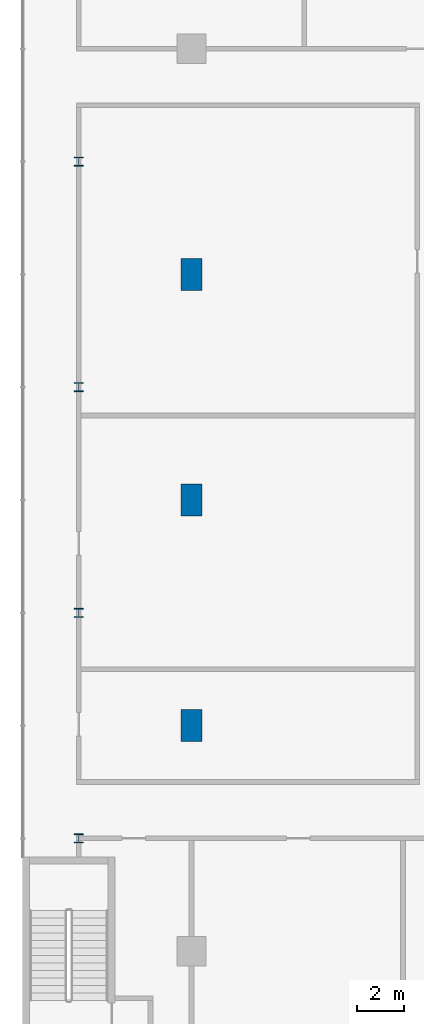
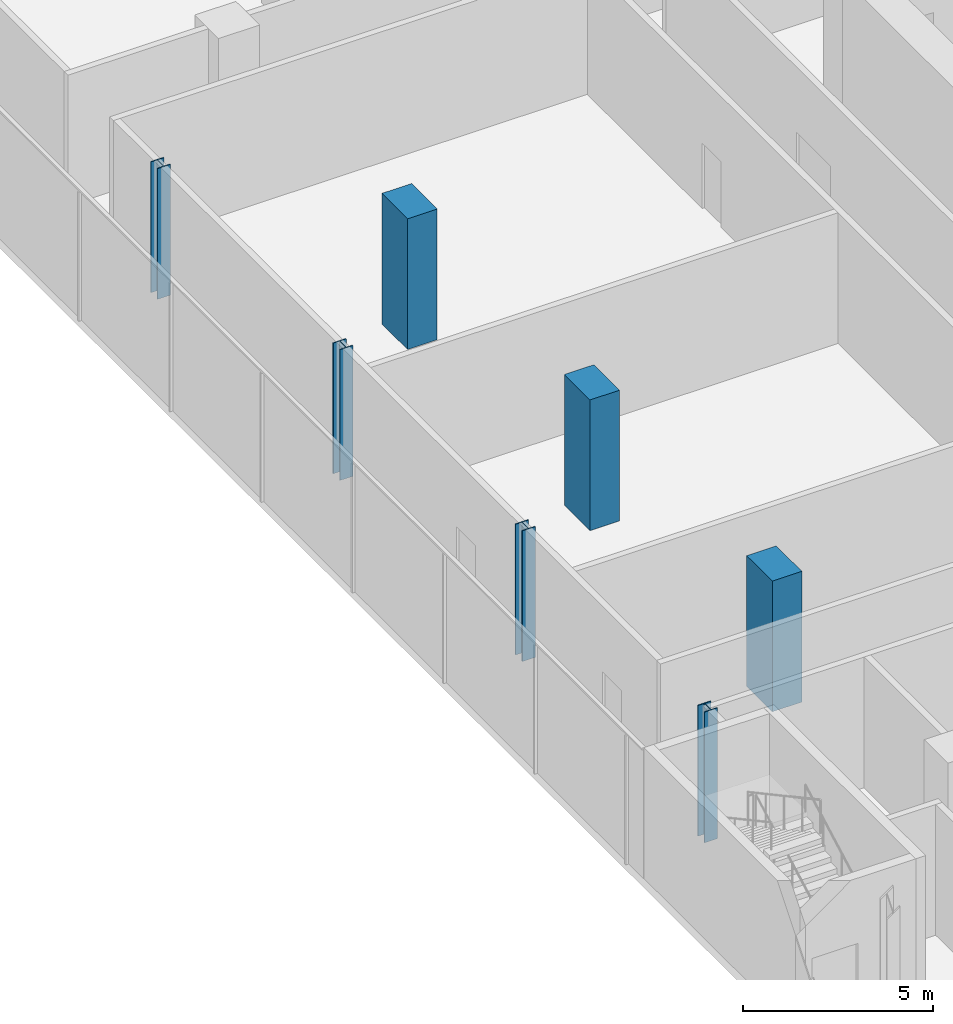
# One storey, part 2 of 38: 7 columns.
"""IFC4 building model written with IfcOpenShell, lengths in metres."""

import ifcopenshell
import ifcopenshell.guid

model = None  # the IFC model being written
_history = None  # IfcOwnerHistory: only IFC2X3 demands one
_inside = {}  # id of a spatial element -> (the spatial element, [elements in it])
_under = {}  # id of a project, library or spatial element -> (it, [spatial elements below it])
_declared = {}  # id of a project -> (the project, [libraries it declares])
_typed = {}  # id of a type object -> (the type object, [elements of that type])
_made_of = {}  # id of a material, layer set ... -> (it, [elements and type objects made of it])


def new_model(schema):
    """Start an empty IFC model of exactly this schema.

    Asked for "IFC4X3", IfcOpenShell would pick the latest addendum, in which some entities
    have other attributes; the version numbers below select the first issue.
    IFC2X3 requires an IfcOwnerHistory on every rooted entity: one is made here for all.
    """
    global model, _history
    if schema == "IFC4X3":
        model = ifcopenshell.file(schema_version=(4, 3, 0, 0))
    else:
        model = ifcopenshell.file(schema=schema)
    _inside.clear()
    _under.clear()
    _declared.clear()
    _typed.clear()
    _made_of.clear()
    _history = None
    if model.schema == "IFC2X3":
        org = make("IfcOrganization", Name="unknown")
        user = make(
            "IfcPersonAndOrganization",
            ThePerson=make("IfcPerson", FamilyName="unknown"),
            TheOrganization=org,
        )
        app = make(
            "IfcApplication",
            ApplicationDeveloper=org,
            Version="unknown",
            ApplicationFullName="unknown",
            ApplicationIdentifier="unknown",
        )
        _history = make(
            "IfcOwnerHistory",
            OwningUser=user,
            OwningApplication=app,
            ChangeAction="ADDED",
            CreationDate=0,
        )
    return model


def make(cls, **values):
    """One entity of the class cls with the attributes given. An attribute that is None is left unset."""
    return model.create_entity(
        cls, **{name: value for name, value in values.items() if value is not None}
    )


def rooted(cls, **values):
    """An entity with a GlobalId (a new one), such as an element, a storey or a relation."""
    return make(cls, GlobalId=ifcopenshell.guid.new(), OwnerHistory=_history, **values)


def si_unit(unit_type, name, prefix=None):
    """IfcSIUnit, for example si_unit("LENGTHUNIT", "METRE", prefix="MILLI")."""
    return make("IfcSIUnit", UnitType=unit_type, Prefix=prefix, Name=name)


def assignment(units):
    """IfcUnitAssignment: the units of a project."""
    return None if units is None else make("IfcUnitAssignment", Units=units)


def point(xyz):
    """IfcCartesianPoint."""
    return None if xyz is None else make("IfcCartesianPoint", Coordinates=xyz)


def direction(xyz):
    """IfcDirection."""
    return None if xyz is None else make("IfcDirection", DirectionRatios=xyz)


def frame(location, z_axis=None, x_axis=None):
    """IfcAxis2Placement3D, a coordinate frame: its origin and axes. An axis left out is left unset."""
    return make(
        "IfcAxis2Placement3D",
        Location=point(location),
        Axis=direction(z_axis),
        RefDirection=direction(x_axis),
    )


def frame_2d(location, x_axis=None):
    """IfcAxis2Placement2D, a coordinate frame in the plane: its origin and x axis."""
    return make(
        "IfcAxis2Placement2D", Location=point(location), RefDirection=direction(x_axis)
    )


def origin():
    """The frame at (0, 0, 0) with its axes left unset."""
    return frame((0.0, 0.0, 0.0))


def origin_2d():
    """The frame at (0, 0) in the plane with its x axis left unset."""
    return frame_2d((0.0, 0.0))


def place(relative_to, where):
    """IfcLocalPlacement: puts the frame where relative to a parent placement (None: the world)."""
    return make(
        "IfcLocalPlacement", PlacementRelTo=relative_to, RelativePlacement=where
    )


def context(
    kind, dimensions, precision=None, world=None, true_north=None, identifier=None
):
    """IfcGeometricRepresentationContext, for example the 3D "Model" context."""
    return make(
        "IfcGeometricRepresentationContext",
        ContextIdentifier=identifier,
        ContextType=kind,
        CoordinateSpaceDimension=dimensions,
        Precision=precision,
        WorldCoordinateSystem=world,
        TrueNorth=true_north,
    )


def subcontext(parent, identifier, kind, view, scale=None):
    """IfcGeometricRepresentationSubContext, for example "Body" below "Model"."""
    return make(
        "IfcGeometricRepresentationSubContext",
        ContextIdentifier=identifier,
        ContextType=kind,
        ParentContext=parent,
        TargetScale=scale,
        TargetView=view,
    )


def project(units=None, contexts=None):
    """IfcProject with its units and contexts."""
    return rooted(
        "IfcProject",
        Name="project",
        RepresentationContexts=contexts,
        UnitsInContext=assignment(units),
    )


def spatial(cls, under=None, at=None, **own):
    """A site, building, storey or space (cls), placed at a placement, below another one or the project."""
    s = rooted(cls, ObjectPlacement=at, **own)
    if under is not None:
        _under.setdefault(under.id(), (under, []))[1].append(s)
    return s


def profile(cls, at=None, kind="AREA", **sizes):
    """A parametric profile (cls). Its sizes go by their IFC names, for example OverallWidth=200.0."""
    return make(cls, ProfileType=kind, Position=at, **sizes)


def rectangle(**sizes):
    """IfcRectangleProfileDef."""
    return profile("IfcRectangleProfileDef", **sizes)


def i_section(**sizes):
    """IfcIShapeProfileDef."""
    return profile("IfcIShapeProfileDef", **sizes)


def extrude(swept, where, along, depth):
    """IfcExtrudedAreaSolid: the profile swept, set in the frame where, extruded along a direction by depth."""
    return make(
        "IfcExtrudedAreaSolid",
        SweptArea=swept,
        Position=where,
        ExtrudedDirection=direction(along),
        Depth=depth,
    )


def shape(context_of_items, identifier, shape_type, items):
    """IfcShapeRepresentation: the items that make up one representation, for example the "Body"."""
    return make(
        "IfcShapeRepresentation",
        ContextOfItems=context_of_items,
        RepresentationIdentifier=identifier,
        RepresentationType=shape_type,
        Items=items,
    )


def material(Name=None, Category=None):
    """IfcMaterial."""
    return make("IfcMaterial", Name=Name, Category=Category)


def material_profile(
    of_material, cross_section, Name=None, Category=None, Priority=None
):
    """IfcMaterialProfile: a cross section and its material."""
    return make(
        "IfcMaterialProfile",
        Name=Name,
        Material=of_material,
        Profile=cross_section,
        Priority=Priority,
        Category=Category,
    )


def profile_set(profiles, Name=None, composite=None):
    """IfcMaterialProfileSet."""
    return make(
        "IfcMaterialProfileSet",
        Name=Name,
        MaterialProfiles=profiles,
        CompositeProfile=composite,
    )


def made_of(thing, what):
    """Note that an element or type object is made of a material, layer set ...; save() writes the relation."""
    if what is not None:
        _made_of.setdefault(what.id(), (what, []))[1].append(thing)
    return thing


def type_object(cls, material=None, **own):
    """A type object (cls), such as IfcWallType, which elements share."""
    return made_of(rooted(cls, **own), material)


def element(
    cls,
    number,
    at=None,
    inside=None,
    cuts=None,
    type_object=None,
    material=None,
    context=None,
    identifier="Body",
    shape_type=None,
    held_by="IfcProductDefinitionShape",
    body=None,
    shapes=None,
    **own,
):
    """One element of the class cls, such as IfcWall. Its Tag is "e" and its number.

    at: its placement. inside: the storey or other place that contains it. cuts: it is an
    opening in that element (IfcRelVoidsElement). A single representation is given by context,
    identifier, shape_type and body (its items); several are given by shapes. held_by: the class
    of the entity that holds the representations. save() writes the other relations.
    """
    e = rooted(cls, Tag="e%d" % number, ObjectPlacement=at, **own)
    if body is not None:
        shapes = [shape(context, identifier, shape_type, body)]
    if shapes is not None:
        e.Representation = make(held_by, Representations=shapes)
    if inside is not None:
        _inside.setdefault(inside.id(), (inside, []))[1].append(e)
    if cuts is not None:
        rooted(
            "IfcRelVoidsElement", RelatingBuildingElement=cuts, RelatedOpeningElement=e
        )
    if type_object is not None:
        _typed.setdefault(type_object.id(), (type_object, []))[1].append(e)
    return made_of(e, material)


def aggregate(whole, parts):
    """IfcRelAggregates: a whole, such as a stair, and the parts it consists of."""
    return rooted("IfcRelAggregates", RelatingObject=whole, RelatedObjects=parts)


def save(model, path):
    """Write the relations noted so far, then the file.

    IfcRelAggregates (storeys below a building ...), IfcRelContainedInSpatialStructure (elements
    in a storey), IfcRelDefinesByType, IfcRelAssociatesMaterial and IfcRelDeclares: one each for
    every whole, place, type object, material and project.
    """
    for whole, parts in _under.values():
        aggregate(whole, parts)
    for where, things in _inside.values():
        rooted(
            "IfcRelContainedInSpatialStructure",
            RelatedElements=things,
            RelatingStructure=where,
        )
    for kind, things in _typed.values():
        rooted("IfcRelDefinesByType", RelatedObjects=things, RelatingType=kind)
    for what, things in _made_of.values():
        rooted("IfcRelAssociatesMaterial", RelatedObjects=things, RelatingMaterial=what)
    for by, libraries in _declared.values():
        rooted("IfcRelDeclares", RelatingContext=by, RelatedDefinitions=libraries)
    model.write(path)


model = new_model("IFC4")

# Units and contexts
model_context = context("Model", 3, precision=1e-05, world=origin(), true_north=direction((0.0, 1.0)))
body_context = subcontext(model_context, "Body", "Model", "MODEL_VIEW")
ifc_project = project(units=[si_unit("LENGTHUNIT", "METRE"), si_unit("AREAUNIT", "SQUARE_METRE"), si_unit("VOLUMEUNIT", "CUBIC_METRE"), si_unit("PLANEANGLEUNIT", "RADIAN"), si_unit("MASSUNIT", "GRAM", prefix="KILO")], contexts=[model_context])

# Site, building, storey
site_placement = place(None, origin())
site = spatial("IfcSite", under=ifc_project, at=site_placement, CompositionType="ELEMENT")
building_placement = place(site_placement, origin())
building = spatial("IfcBuilding", under=site, at=building_placement, Name="Madar Terraces", CompositionType="ELEMENT")
storey_placement = place(building_placement, frame((0.0, 0.0, 15.0)))
storey = spatial("IfcBuildingStorey", under=building, at=storey_placement, Name="L03", CompositionType="ELEMENT", Elevation=15.0)

# Columns
ifc_material_1 = material(Name="Concrete C80/95", Category="concrete")
ifc_material_profile_1 = material_profile(ifc_material_1, rectangle(XDim=1.35009765625, YDim=0.89990234375, at=origin_2d()), Name="CC1 RC 1350x900")
ifc_profile_set_1 = profile_set([ifc_material_profile_1], Name="Concrete C80/95")
column_type_1 = type_object("IfcColumnType", Name="CC1 RC 1350x900", PredefinedType="COLUMN", material=ifc_profile_set_1)
for number, where, z_axis, x_axis, name in (
    (1, (0.0, 33.60009765625, 0.0), (0.0, 0.0, 1.0), (0.0, 1.0, 0.0), "Perimeter column W2"),
    (2, (0.0, 24.0, 0.0), (0.0, 0.0, 1.0), (0.0, 1.0, 0.0), "Perimeter column W3"),
    (3, (0.0, 14.39990234375, 0.0), (0.0, 0.0, 1.0), (0.0, 1.0, 0.0), "Perimeter column W4"),
):
    element("IfcColumn", number, at=place(storey_placement, frame(where, z_axis=z_axis, x_axis=x_axis)), inside=storey, type_object=column_type_1, Name=name, PredefinedType="COLUMN", context=body_context, shape_type="SweptSolid", body=[
        extrude(rectangle(XDim=1.35009765625, YDim=0.89990234375, at=origin_2d()), origin(), (0.0, 0.0, 1.0), 4.199951171875),
    ])
ifc_material_2 = material(Name="Steel ASTM A992 Grade 50", Category="steel")
ifc_material_profile_2 = material_profile(ifc_material_2, i_section(OverallWidth=0.396240234375, OverallDepth=0.381103515625, WebThickness=0.01904296875, FlangeThickness=0.0302734375, at=origin_2d()), Name="W14x159")
ifc_profile_set_2 = profile_set([ifc_material_profile_2], Name="Steel ASTM A992 Grade 50")
column_type_2 = type_object("IfcColumnType", Name="PC2 W14x159", PredefinedType="COLUMN", material=ifc_profile_set_2)
for number, where, z_axis, x_axis, name in (
    (4, (-4.800048828125, 9.60009765625, 0.0), (0.0, 0.0, 1.0), (1.0, 0.0, 0.0), "Podium column PC2"),
    (5, (-4.800048828125, 19.199951171875, 0.0), (0.0, 0.0, 1.0), (1.0, 0.0, 0.0), "Podium column PC2"),
    (6, (-4.800048828125, 28.800048828125, 0.0), (0.0, 0.0, 1.0), (1.0, 0.0, 0.0), "Podium column PC2"),
    (7, (-4.800048828125, 38.39990234375, 0.0), (0.0, 0.0, 1.0), (1.0, 0.0, 0.0), "Podium column PC2"),
):
    element("IfcColumn", number, at=place(storey_placement, frame(where, z_axis=z_axis, x_axis=x_axis)), inside=storey, type_object=column_type_2, Name=name, PredefinedType="COLUMN", context=body_context, shape_type="SweptSolid", body=[
        extrude(i_section(OverallWidth=0.396240234375, OverallDepth=0.381103515625, WebThickness=0.01904296875, FlangeThickness=0.0302734375, at=origin_2d()), origin(), (0.0, 0.0, 1.0), 4.199951171875),
    ])

save(model, "model.ifc")
